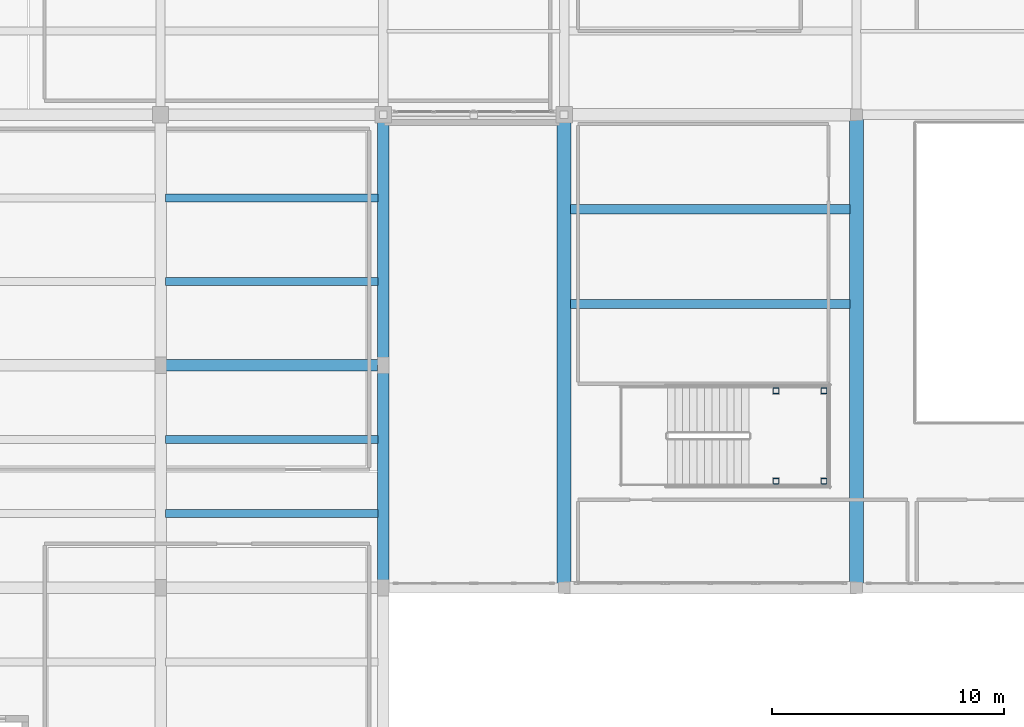
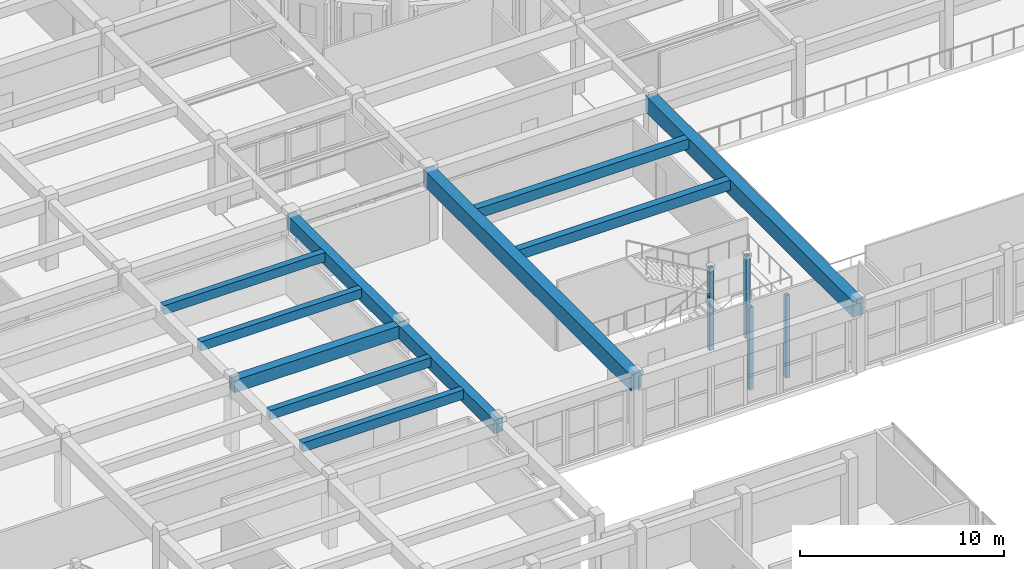
# One storey, part 16 of 92: 11 beams, 4 members.
"""IFC4 building model written with IfcOpenShell, lengths in metres."""

from ifc_helpers import new_model, si_unit, direction, frame, origin, origin_2d, place, context, subcontext, project, spatial, rectangle, hollow_rectangle, extrude, material, material_profile, profile_set, type_object, element, save


model = new_model("IFC4")

# Units and contexts
model_context = context("Model", 3, precision=1e-05, world=origin(), true_north=direction((0.0, 1.0)))
body_context = subcontext(model_context, "Body", "Model", "MODEL_VIEW")
ifc_project = project(units=[si_unit("LENGTHUNIT", "METRE"), si_unit("AREAUNIT", "SQUARE_METRE"), si_unit("VOLUMEUNIT", "CUBIC_METRE"), si_unit("PLANEANGLEUNIT", "RADIAN"), si_unit("MASSUNIT", "GRAM", prefix="KILO")], contexts=[model_context])

# Site, building, storey
site_placement = place(None, origin())
site = spatial("IfcSite", under=ifc_project, at=site_placement, CompositionType="ELEMENT")
building_placement = place(site_placement, origin())
building = spatial("IfcBuilding", under=site, at=building_placement, Name="Tarnavel Promenade Courthouse", CompositionType="ELEMENT")
storey_placement = place(building_placement, frame((0.0, 0.0, 5.39990234375)))
storey = spatial("IfcBuildingStorey", under=building, at=storey_placement, Name="L02", CompositionType="ELEMENT", Elevation=5.39990234375)

# Beams
ifc_material_1 = material(Name="Concrete C40/50", Category="concrete")
ifc_material_profile_1 = material_profile(ifc_material_1, rectangle(XDim=0.35009765625, YDim=0.550048828125, at=origin_2d()), Name="PT 350x550")
ifc_profile_set_1 = profile_set([ifc_material_profile_1], Name="Concrete C40/50")
beam_type_1 = type_object("IfcBeamType", Name="Concrete C40/50 BM-PT-350x550 (PT 350x550)", PredefinedType="JOIST", material=ifc_profile_set_1)
for number, where, z_axis, x_axis, name in (
    (1, (29.02001953125, 50.0, 3.920166015625), (1.0, 0.0, 0.0), (0.0, 1.0, 0.0), "L02 Secondary Floor Rib 1380"),
    (2, (29.02001953125, 53.199951171875, 3.920166015625), (1.0, 0.0, 0.0), (0.0, 1.0, 0.0), "L02 Secondary Floor Rib 1381"),
    (3, (29.02001953125, 60.0, 3.920166015625), (1.0, 0.0, 0.0), (0.0, 1.0, 0.0), "L02 Secondary Floor Rib 1388"),
    (4, (29.02001953125, 63.60009765625, 3.920166015625), (1.0, 0.0, 0.0), (0.0, 1.0, 0.0), "L02 Secondary Floor Rib 1389"),
):
    element("IfcBeam", number, at=place(storey_placement, frame(where, z_axis=z_axis, x_axis=x_axis)), inside=storey, type_object=beam_type_1, Name=name, PredefinedType="JOIST", context=body_context, shape_type="SweptSolid", body=[
        extrude(rectangle(XDim=0.35009765625, YDim=0.550048828125, at=origin_2d()), origin(), (0.0, 0.0, 1.0), 9.159912109375),
    ])
ifc_material_profile_2 = material_profile(ifc_material_1, rectangle(XDim=0.39990234375, YDim=0.60009765625, at=origin_2d()), Name="PT 400x600")
ifc_profile_set_2 = profile_set([ifc_material_profile_2], Name="Concrete C40/50")
beam_type_2 = type_object("IfcBeamType", Name="Concrete C40/50 BM-PT-400x600 (PT 400x600)", PredefinedType="JOIST", material=ifc_profile_set_2)
for number, where, z_axis, x_axis, name in (
    (5, (46.469970703125, 59.0400390625, 3.89501953125), (1.0, 0.0, 0.0), (0.0, 1.0, 0.0), "L02 Secondary Floor Rib 1455"),
    (6, (46.469970703125, 63.1201171875, 3.89501953125), (1.0, 0.0, 0.0), (0.0, 1.0, 0.0), "L02 Secondary Floor Rib 1456"),
):
    element("IfcBeam", number, at=place(storey_placement, frame(where, z_axis=z_axis, x_axis=x_axis)), inside=storey, type_object=beam_type_2, Name=name, PredefinedType="JOIST", context=body_context, shape_type="SweptSolid", body=[
        extrude(rectangle(XDim=0.39990234375, YDim=0.60009765625, at=origin_2d()), origin(), (0.0, 0.0, 1.0), 12.06005859375),
    ])
ifc_material_profile_3 = material_profile(ifc_material_1, rectangle(XDim=0.5, YDim=0.800048828125, at=origin_2d()), Name="PT 500x800")
ifc_profile_set_3 = profile_set([ifc_material_profile_3], Name="Concrete C40/50")
beam_type_3 = type_object("IfcBeamType", Name="Concrete C40/50 BM-PT-500x800 (PT 500x800)", PredefinedType="T_BEAM", material=ifc_profile_set_3)
beam_1_placement = place(storey_placement, frame((38.39990234375, 46.800048828125, 3.795166015625), z_axis=(0.0, 1.0, 0.0), x_axis=(-1.0, 0.0, 0.0)))
element("IfcBeam", 7, at=beam_1_placement, inside=storey, type_object=beam_type_3, Name="L02 Transverse Girder 1263", PredefinedType="T_BEAM", context=body_context, shape_type="SweptSolid", body=[
    extrude(rectangle(XDim=0.5, YDim=0.800048828125, at=origin_2d()), origin(), (0.0, 0.0, 1.0), 9.599853515625),
])
beam_2_placement = place(storey_placement, frame((38.39990234375, 56.39990234375, 3.795166015625), z_axis=(0.0, 1.0, 0.0), x_axis=(-1.0, 0.0, 0.0)))
element("IfcBeam", 8, at=beam_2_placement, inside=storey, type_object=beam_type_3, Name="L02 Transverse Girder 1264", PredefinedType="T_BEAM", context=body_context, shape_type="SweptSolid", body=[
    extrude(rectangle(XDim=0.5, YDim=0.800048828125, at=origin_2d()), origin(), (0.0, 0.0, 1.0), 10.800048828125),
])
ifc_material_profile_4 = material_profile(ifc_material_1, rectangle(XDim=0.60009765625, YDim=0.949951171875, at=origin_2d()), Name="PT 600x950")
ifc_profile_set_4 = profile_set([ifc_material_profile_4], Name="Concrete C40/50")
beam_type_4 = type_object("IfcBeamType", Name="Concrete C40/50 BM-PT-600x950 (PT 600x950)", PredefinedType="T_BEAM", material=ifc_profile_set_4)
for number, where, z_axis, x_axis, name in (
    (9, (46.199951171875, 46.800048828125, 3.72021484375), (0.0, 1.0, 0.0), (-1.0, 0.0, 0.0), "L02 Transverse Girder 1269"),
    (10, (58.800048828125, 46.800048828125, 3.72021484375), (0.0, 1.0, 0.0), (-1.0, 0.0, 0.0), "L02 Transverse Girder 1277"),
):
    element("IfcBeam", number, at=place(storey_placement, frame(where, z_axis=z_axis, x_axis=x_axis)), inside=storey, type_object=beam_type_4, Name=name, PredefinedType="T_BEAM", context=body_context, shape_type="SweptSolid", body=[
        extrude(rectangle(XDim=0.60009765625, YDim=0.949951171875, at=origin_2d()), origin(), (0.0, 0.0, 1.0), 20.39990234375),
    ])
ifc_material_profile_5 = material_profile(ifc_material_1, rectangle(XDim=0.5, YDim=0.75, at=origin_2d()), Name="RC 500x750")
ifc_profile_set_5 = profile_set([ifc_material_profile_5], Name="Concrete C40/50")
beam_type_5 = type_object("IfcBeamType", Name="Concrete C40/50 BM-RC-500x750 (RC 500x750)", PredefinedType="T_BEAM", material=ifc_profile_set_5)
beam_3_placement = place(storey_placement, frame((28.800048828125, 56.39990234375, 3.820068359375), z_axis=(1.0, 0.0, 0.0), x_axis=(0.0, 1.0, 0.0)))
element("IfcBeam", 11, at=beam_3_placement, inside=storey, type_object=beam_type_5, Name="L02 Primary Longitudinal Beam 1119", PredefinedType="T_BEAM", context=body_context, shape_type="SweptSolid", body=[
    extrude(rectangle(XDim=0.5, YDim=0.75, at=origin_2d()), origin(), (0.0, 0.0, 1.0), 9.599853515625),
])

# Members
ifc_material_2 = material(Name="Steel S355J2", Category="steel")
ifc_material_profile_6 = material_profile(ifc_material_2, hollow_rectangle(XDim=0.25, YDim=0.25, WallThickness=0.012451171875, InnerFilletRadius=0.012451171875, OuterFilletRadius=0.02490234375, at=origin_2d()), Name="SHS 250x250x12.5")
ifc_profile_set_6 = profile_set([ifc_material_profile_6], Name="Steel S355J2")
member_type = type_object("IfcMemberType", Name="Steel S355J2 MEM-STR-SHS250 (SHS 250x250x12.5)", PredefinedType="STRUT", material=ifc_profile_set_6)
for number, where, z_axis, x_axis, name in (
    (12, (55.330078125, 51.39990234375, -2.699951171875), (0.0, 0.0, 1.0), (1.0, 0.0, 0.0), "L02 ST-10 Monumental Stair Landing Post 1"),
    (13, (57.39990234375, 51.39990234375, -2.699951171875), (0.0, 0.0, 1.0), (1.0, 0.0, 0.0), "L02 ST-10 Monumental Stair Landing Post 2"),
    (14, (55.330078125, 55.300048828125, -2.699951171875), (0.0, 0.0, 1.0), (1.0, 0.0, 0.0), "L02 ST-10 Monumental Stair Landing Post 3"),
    (15, (57.39990234375, 55.300048828125, -2.699951171875), (0.0, 0.0, 1.0), (1.0, 0.0, 0.0), "L02 ST-10 Monumental Stair Landing Post 4"),
):
    element("IfcMember", number, at=place(storey_placement, frame(where, z_axis=z_axis, x_axis=x_axis)), inside=storey, type_object=member_type, Name=name, PredefinedType="STRUT", context=body_context, shape_type="SweptSolid", body=[
        extrude(hollow_rectangle(XDim=0.25, YDim=0.25, WallThickness=0.012451171875, InnerFilletRadius=0.012451171875, OuterFilletRadius=0.02490234375, at=origin_2d()), origin(), (0.0, 0.0, 1.0), 4.949951171875),
    ])

save(model, "model.ifc")
